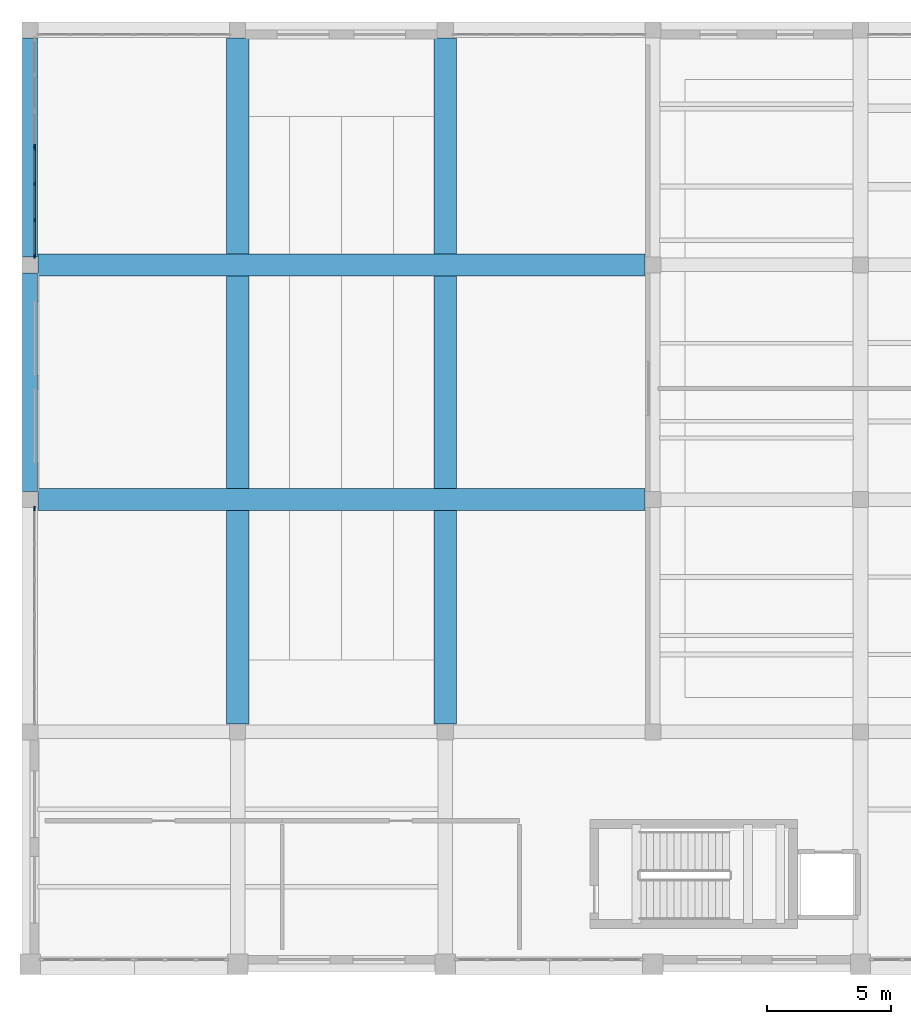
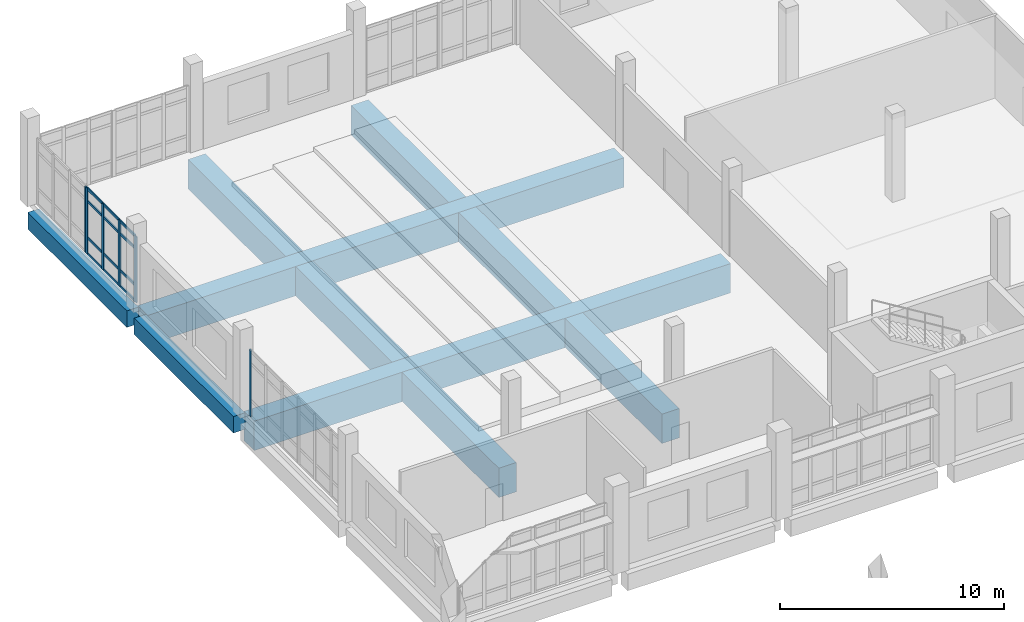
# One storey, part 28 of 90: 18 members, 6 beams, 3 elements without a shape of their own.
"""IFC4 building model written with IfcOpenShell, lengths in metres."""

from ifc_helpers import new_model, si_unit, direction, frame, origin, origin_2d, place, context, subcontext, project, spatial, rectangle, extrude, material, layer, layer_set, material_profile, profile_set, type_object, element, aggregate, save


model = new_model("IFC4")

# Units and contexts
model_context = context("Model", 3, precision=1e-05, world=origin(), true_north=direction((0.0, 1.0)))
body_context = subcontext(model_context, "Body", "Model", "MODEL_VIEW")
ifc_project = project(units=[si_unit("LENGTHUNIT", "METRE"), si_unit("AREAUNIT", "SQUARE_METRE"), si_unit("VOLUMEUNIT", "CUBIC_METRE"), si_unit("PLANEANGLEUNIT", "RADIAN"), si_unit("MASSUNIT", "GRAM", prefix="KILO")], contexts=[model_context])

# Site, building, storey
site_placement = place(None, origin())
site = spatial("IfcSite", under=ifc_project, at=site_placement, CompositionType="ELEMENT")
building_placement = place(site_placement, origin())
building = spatial("IfcBuilding", under=site, at=building_placement, Name="Kelarvand Opera House", CompositionType="ELEMENT")
storey_placement = place(building_placement, frame((0.0, 0.0, 5.39990234375)))
storey = spatial("IfcBuildingStorey", under=building, at=storey_placement, Name="L01", CompositionType="ELEMENT", Elevation=5.39990234375)

# Curtain wall, member
ifc_material_1 = material(Name="Thermally broken aluminium and low-E glazing", Category="aluminium")
ifc_layer_1 = layer(ifc_material_1, 0.179931640625, Name="Thermally broken aluminium and low-E glazing", Category="aluminium")
ifc_layer_set_1 = layer_set([ifc_layer_1], Name="Thermally broken aluminium and low-E glazing")
curtain_wall_type_1 = type_object("IfcCurtainWallType", Name="Unitised Low-E Curtain Wall 4326x3600 Mod 1350 CWF-15", PredefinedType="USERDEFINED", material=ifc_layer_set_1)
curtain_wall_1_placement = place(storey_placement, origin())
curtain_wall_1 = element("IfcCurtainWall", 1, at=curtain_wall_1_placement, inside=storey, type_object=curtain_wall_type_1, Name="V3 L01 Curtain Wall CWF-15 (58)", ObjectType="UNITISED CURTAIN WALL", PredefinedType="USERDEFINED")
ifc_material_2 = material(Name="Thermally broken anodised aluminium", Category="aluminium")
ifc_material_profile_1 = material_profile(ifc_material_2, rectangle(XDim=0.06494140625, YDim=0.179931640625, at=origin_2d()), Name="ALU MULLION 65x180", Category="aluminium")
ifc_profile_set_1 = profile_set([ifc_material_profile_1], Name="Thermally broken anodised aluminium")
member_type_1 = type_object("IfcMemberType", Name="Curtain Wall Mullion 65x180 Aluminium", PredefinedType="MULLION", material=ifc_profile_set_1)
member_1_placement = place(storey_placement, frame((9.179931640625, 105.632568359375, 0.0), z_axis=(0.0, 0.0, 1.0), x_axis=(-1.0, 0.0, 0.0)))
member_1 = element("IfcMember", 2, at=member_1_placement, type_object=member_type_1, Name="CWF-15 mullion 4", PredefinedType="MULLION", context=body_context, shape_type="SweptSolid", body=[
    extrude(rectangle(XDim=0.06494140625, YDim=0.179931640625, at=origin_2d()), origin(), (0.0, 0.0, 1.0), 3.60009765625),
])
aggregate(curtain_wall_1, [member_1])

# Curtain wall, members
ifc_layer_2 = layer(ifc_material_1, 0.179931640625, Name="Thermally broken aluminium and low-E glazing", Category="aluminium")
ifc_layer_set_2 = layer_set([ifc_layer_2], Name="Thermally broken aluminium and low-E glazing")
curtain_wall_type_2 = type_object("IfcCurtainWallType", Name="Unitised Low-E Curtain Wall 4411x3600 Mod 1350 CWF-19", PredefinedType="USERDEFINED", material=ifc_layer_set_2)
curtain_wall_2_placement = place(storey_placement, origin())
curtain_wall_2 = element("IfcCurtainWall", 3, at=curtain_wall_2_placement, inside=storey, type_object=curtain_wall_type_2, Name="V3 L01 Curtain Wall CWF-19 (59)", ObjectType="UNITISED CURTAIN WALL", PredefinedType="USERDEFINED")
member_2_placement = place(storey_placement, frame((9.179931640625, 115.867431640625, 0.0), z_axis=(0.0, 0.0, 1.0), x_axis=(-1.0, 0.0, 0.0)))
member_2 = element("IfcMember", 4, at=member_2_placement, type_object=member_type_1, Name="CWF-19 mullion 1", PredefinedType="MULLION", context=body_context, shape_type="SweptSolid", body=[
    extrude(rectangle(XDim=0.06494140625, YDim=0.179931640625, at=origin_2d()), origin(), (0.0, 0.0, 1.0), 3.60009765625),
])
member_3_placement = place(storey_placement, frame((9.179931640625, 117.305419921875, 0.0), z_axis=(0.0, 0.0, 1.0), x_axis=(-1.0, 0.0, 0.0)))
member_3 = element("IfcMember", 5, at=member_3_placement, type_object=member_type_1, Name="CWF-19 mullion 2", PredefinedType="MULLION", context=body_context, shape_type="SweptSolid", body=[
    extrude(rectangle(XDim=0.06494140625, YDim=0.179931640625, at=origin_2d()), origin(), (0.0, 0.0, 1.0), 3.60009765625),
])
member_4_placement = place(storey_placement, frame((9.179931640625, 118.775634765625, 0.0), z_axis=(0.0, 0.0, 1.0), x_axis=(-1.0, 0.0, 0.0)))
member_4 = element("IfcMember", 6, at=member_4_placement, type_object=member_type_1, Name="CWF-19 mullion 3", PredefinedType="MULLION", context=body_context, shape_type="SweptSolid", body=[
    extrude(rectangle(XDim=0.06494140625, YDim=0.179931640625, at=origin_2d()), origin(), (0.0, 0.0, 1.0), 3.60009765625),
])
member_5_placement = place(storey_placement, frame((9.179931640625, 120.21337890625, 0.0), z_axis=(0.0, 0.0, 1.0), x_axis=(-1.0, 0.0, 0.0)))
member_5 = element("IfcMember", 7, at=member_5_placement, type_object=member_type_1, Name="CWF-19 mullion 4", PredefinedType="MULLION", context=body_context, shape_type="SweptSolid", body=[
    extrude(rectangle(XDim=0.06494140625, YDim=0.179931640625, at=origin_2d()), origin(), (0.0, 0.0, 1.0), 3.60009765625),
])

# Curtain wall, member
curtain_wall_3_placement = place(storey_placement, origin())
curtain_wall_3 = element("IfcCurtainWall", 8, at=curtain_wall_3_placement, inside=storey, type_object=curtain_wall_type_2, Name="V3 L01 Curtain Wall CWF-19 (60)", ObjectType="UNITISED CURTAIN WALL", PredefinedType="USERDEFINED")
member_6_placement = place(storey_placement, frame((9.179931640625, 120.282470703125, 0.0), z_axis=(0.0, 0.0, 1.0), x_axis=(-1.0, 0.0, 0.0)))
member_6 = element("IfcMember", 9, at=member_6_placement, type_object=member_type_1, Name="CWF-19 mullion 1", PredefinedType="MULLION", context=body_context, shape_type="SweptSolid", body=[
    extrude(rectangle(XDim=0.06494140625, YDim=0.179931640625, at=origin_2d()), origin(), (0.0, 0.0, 1.0), 3.60009765625),
])
aggregate(curtain_wall_3, [member_6])

# Member
ifc_material_profile_2 = material_profile(ifc_material_2, rectangle(XDim=0.06494140625, YDim=0.139892578125, at=origin_2d()), Name="ALU TRANSOM 65x140", Category="aluminium")
ifc_profile_set_2 = profile_set([ifc_material_profile_2], Name="Thermally broken anodised aluminium")
member_type_2 = type_object("IfcMemberType", Name="Curtain Wall Transom 65x140 Aluminium", PredefinedType="USERDEFINED", material=ifc_profile_set_2)
member_7_placement = place(storey_placement, frame((9.179931640625, 115.89990234375, 0.03271484375), z_axis=(0.0, 1.0, 0.0), x_axis=(-1.0, 0.0, 0.0)))
member_7 = element("IfcMember", 10, at=member_7_placement, type_object=member_type_2, Name="CWF-19 transom 1.1", ObjectType="TRANSOM", PredefinedType="USERDEFINED", context=body_context, shape_type="SweptSolid", body=[
    extrude(rectangle(XDim=0.06494140625, YDim=0.139892578125, at=origin_2d()), origin(), (0.0, 0.0, 1.0), 1.373046875),
])

member_8_placement = place(storey_placement, frame((9.179931640625, 115.89990234375, 0.900146484375), z_axis=(0.0, 1.0, 0.0), x_axis=(-1.0, 0.0, 0.0)))
member_8 = element("IfcMember", 11, at=member_8_placement, type_object=member_type_2, Name="CWF-19 transom 1.2", ObjectType="TRANSOM", PredefinedType="USERDEFINED", context=body_context, shape_type="SweptSolid", body=[
    extrude(rectangle(XDim=0.06494140625, YDim=0.139892578125, at=origin_2d()), origin(), (0.0, 0.0, 1.0), 1.373046875),
])

member_9_placement = place(storey_placement, frame((9.179931640625, 115.89990234375, 2.900146484375), z_axis=(0.0, 1.0, 0.0), x_axis=(-1.0, 0.0, 0.0)))
member_9 = element("IfcMember", 12, at=member_9_placement, type_object=member_type_2, Name="CWF-19 transom 1.3", ObjectType="TRANSOM", PredefinedType="USERDEFINED", context=body_context, shape_type="SweptSolid", body=[
    extrude(rectangle(XDim=0.06494140625, YDim=0.139892578125, at=origin_2d()), origin(), (0.0, 0.0, 1.0), 1.373046875),
])

member_10_placement = place(storey_placement, frame((9.179931640625, 115.89990234375, 3.567626953125), z_axis=(0.0, 1.0, 0.0), x_axis=(-1.0, 0.0, 0.0)))
member_10 = element("IfcMember", 13, at=member_10_placement, type_object=member_type_2, Name="CWF-19 transom 1.4", ObjectType="TRANSOM", PredefinedType="USERDEFINED", context=body_context, shape_type="SweptSolid", body=[
    extrude(rectangle(XDim=0.06494140625, YDim=0.139892578125, at=origin_2d()), origin(), (0.0, 0.0, 1.0), 1.373046875),
])

member_11_placement = place(storey_placement, frame((9.179931640625, 117.337890625, 0.03271484375), z_axis=(0.0, 1.0, 0.0), x_axis=(-1.0, 0.0, 0.0)))
member_11 = element("IfcMember", 14, at=member_11_placement, type_object=member_type_2, Name="CWF-19 transom 2.1", ObjectType="TRANSOM", PredefinedType="USERDEFINED", context=body_context, shape_type="SweptSolid", body=[
    extrude(rectangle(XDim=0.06494140625, YDim=0.139892578125, at=origin_2d()), origin(), (0.0, 0.0, 1.0), 1.4052734375),
])

member_12_placement = place(storey_placement, frame((9.179931640625, 117.337890625, 0.900146484375), z_axis=(0.0, 1.0, 0.0), x_axis=(-1.0, 0.0, 0.0)))
member_12 = element("IfcMember", 15, at=member_12_placement, type_object=member_type_2, Name="CWF-19 transom 2.2", ObjectType="TRANSOM", PredefinedType="USERDEFINED", context=body_context, shape_type="SweptSolid", body=[
    extrude(rectangle(XDim=0.06494140625, YDim=0.139892578125, at=origin_2d()), origin(), (0.0, 0.0, 1.0), 1.4052734375),
])

member_13_placement = place(storey_placement, frame((9.179931640625, 117.337890625, 2.900146484375), z_axis=(0.0, 1.0, 0.0), x_axis=(-1.0, 0.0, 0.0)))
member_13 = element("IfcMember", 16, at=member_13_placement, type_object=member_type_2, Name="CWF-19 transom 2.3", ObjectType="TRANSOM", PredefinedType="USERDEFINED", context=body_context, shape_type="SweptSolid", body=[
    extrude(rectangle(XDim=0.06494140625, YDim=0.139892578125, at=origin_2d()), origin(), (0.0, 0.0, 1.0), 1.4052734375),
])

member_14_placement = place(storey_placement, frame((9.179931640625, 117.337890625, 3.567626953125), z_axis=(0.0, 1.0, 0.0), x_axis=(-1.0, 0.0, 0.0)))
member_14 = element("IfcMember", 17, at=member_14_placement, type_object=member_type_2, Name="CWF-19 transom 2.4", ObjectType="TRANSOM", PredefinedType="USERDEFINED", context=body_context, shape_type="SweptSolid", body=[
    extrude(rectangle(XDim=0.06494140625, YDim=0.139892578125, at=origin_2d()), origin(), (0.0, 0.0, 1.0), 1.4052734375),
])

member_15_placement = place(storey_placement, frame((9.179931640625, 118.80810546875, 0.03271484375), z_axis=(0.0, 1.0, 0.0), x_axis=(-1.0, 0.0, 0.0)))
member_15 = element("IfcMember", 18, at=member_15_placement, type_object=member_type_2, Name="CWF-19 transom 3.1", ObjectType="TRANSOM", PredefinedType="USERDEFINED", context=body_context, shape_type="SweptSolid", body=[
    extrude(rectangle(XDim=0.06494140625, YDim=0.139892578125, at=origin_2d()), origin(), (0.0, 0.0, 1.0), 1.372802734375),
])

member_16_placement = place(storey_placement, frame((9.179931640625, 118.80810546875, 0.900146484375), z_axis=(0.0, 1.0, 0.0), x_axis=(-1.0, 0.0, 0.0)))
member_16 = element("IfcMember", 19, at=member_16_placement, type_object=member_type_2, Name="CWF-19 transom 3.2", ObjectType="TRANSOM", PredefinedType="USERDEFINED", context=body_context, shape_type="SweptSolid", body=[
    extrude(rectangle(XDim=0.06494140625, YDim=0.139892578125, at=origin_2d()), origin(), (0.0, 0.0, 1.0), 1.372802734375),
])

member_17_placement = place(storey_placement, frame((9.179931640625, 118.80810546875, 2.900146484375), z_axis=(0.0, 1.0, 0.0), x_axis=(-1.0, 0.0, 0.0)))
member_17 = element("IfcMember", 20, at=member_17_placement, type_object=member_type_2, Name="CWF-19 transom 3.3", ObjectType="TRANSOM", PredefinedType="USERDEFINED", context=body_context, shape_type="SweptSolid", body=[
    extrude(rectangle(XDim=0.06494140625, YDim=0.139892578125, at=origin_2d()), origin(), (0.0, 0.0, 1.0), 1.372802734375),
])

member_18_placement = place(storey_placement, frame((9.179931640625, 118.80810546875, 3.567626953125), z_axis=(0.0, 1.0, 0.0), x_axis=(-1.0, 0.0, 0.0)))
member_18 = element("IfcMember", 21, at=member_18_placement, type_object=member_type_2, Name="CWF-19 transom 3.4", ObjectType="TRANSOM", PredefinedType="USERDEFINED", context=body_context, shape_type="SweptSolid", body=[
    extrude(rectangle(XDim=0.06494140625, YDim=0.139892578125, at=origin_2d()), origin(), (0.0, 0.0, 1.0), 1.372802734375),
])

aggregate(curtain_wall_2, [member_2, member_3, member_4, member_5, member_7, member_8, member_9, member_10, member_11, member_12, member_13, member_14, member_15, member_16, member_17, member_18])

# Beams
ifc_material_3 = material(Name="Concrete C40/50", Category="concrete")
ifc_material_profile_3 = material_profile(ifc_material_3, rectangle(XDim=0.89990234375, YDim=1.60009765625, at=origin_2d()), Name="RC 900x1600", Category="concrete")
ifc_profile_set_3 = profile_set([ifc_material_profile_3], Name="Concrete C40/50")
beam_type_1 = type_object("IfcBeamType", Name="Structural Beam RC 900x1600 BM-RC900x1600", PredefinedType="BEAM", material=ifc_profile_set_3)
for number, where, z_axis, x_axis, name in (
    (22, (9.324951171875, 106.0, -1.099853515625), (1.0, 0.0, 0.0), (0.0, 1.0, 0.0), "V3 L01 Beam BM-RC900x1600"),
    (23, (9.324951171875, 115.5, -1.099853515625), (1.0, 0.0, 0.0), (0.0, 1.0, 0.0), "V3 L01 Beam BM-RC900x1600"),
):
    element("IfcBeam", number, at=place(storey_placement, frame(where, z_axis=z_axis, x_axis=x_axis)), inside=storey, type_object=beam_type_1, Name=name, PredefinedType="BEAM", context=body_context, shape_type="SweptSolid", body=[
        extrude(rectangle(XDim=0.89990234375, YDim=1.60009765625, at=origin_2d()), origin(), (0.0, 0.0, 1.0), 24.550048828125),
    ])
for number, where, z_axis, x_axis, name in (
    (24, (17.39990234375, 96.925048828125, -1.099853515625), (0.0, 1.0, 0.0), (-1.0, 0.0, 0.0), "V3 L01 Beam BM-RC900x1600"),
    (25, (25.800048828125, 96.925048828125, -1.099853515625), (0.0, 1.0, 0.0), (-1.0, 0.0, 0.0), "V3 L01 Beam BM-RC900x1600"),
):
    element("IfcBeam", number, at=place(storey_placement, frame(where, z_axis=z_axis, x_axis=x_axis)), inside=storey, type_object=beam_type_1, Name=name, PredefinedType="BEAM", context=body_context, shape_type="SweptSolid", body=[
        extrude(rectangle(XDim=0.89990234375, YDim=1.60009765625, at=origin_2d()), origin(), (0.0, 0.0, 1.0), 27.75),
    ])
ifc_material_profile_4 = material_profile(ifc_material_3, rectangle(XDim=0.60009765625, YDim=0.89990234375, at=origin_2d()), Name="RC 600x900", Category="concrete")
ifc_profile_set_4 = profile_set([ifc_material_profile_4], Name="Concrete C40/50")
beam_type_2 = type_object("IfcBeamType", Name="Structural Spandrel RC 600x900 SP-RC600x900E", PredefinedType="SPANDREL", material=ifc_profile_set_4)
for number, where, z_axis, x_axis, name in (
    (26, (9.0, 106.324951171875, -0.75), (0.0, 1.0, 0.0), (-1.0, 0.0, 0.0), "V3 L01 Beam SP-RC600x900E"),
    (27, (9.0, 115.824951171875, -0.75), (0.0, 1.0, 0.0), (-1.0, 0.0, 0.0), "V3 L01 Beam SP-RC600x900E"),
):
    element("IfcBeam", number, at=place(storey_placement, frame(where, z_axis=z_axis, x_axis=x_axis)), inside=storey, type_object=beam_type_2, Name=name, PredefinedType="SPANDREL", context=body_context, shape_type="SweptSolid", body=[
        extrude(rectangle(XDim=0.60009765625, YDim=0.89990234375, at=origin_2d()), origin(), (0.0, 0.0, 1.0), 8.85009765625),
    ])

save(model, "model.ifc")
